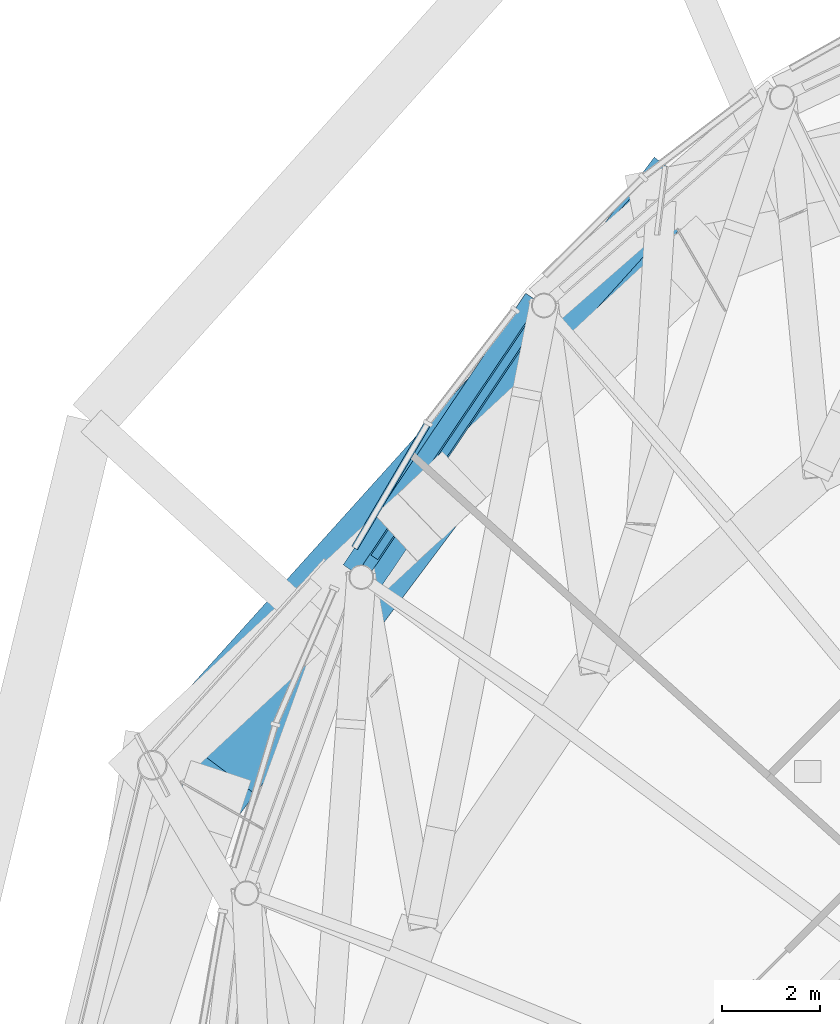
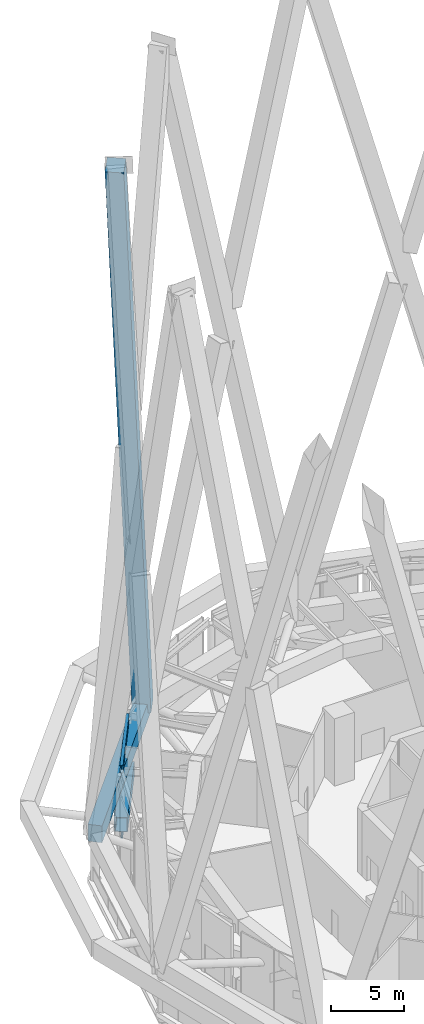
# One storey, part 18 of 48: 3 beams, 3 members, 1 element without a shape of its own.
"""IFC4 building model written with IfcOpenShell, lengths in metres."""

from ifc_helpers import new_model, si_unit, direction, frame, origin, origin_2d, place, context, subcontext, project, spatial, rectangle, hollow_rectangle, i_section, extrude, material, layer, layer_set, material_profile, profile_set, type_object, element, aggregate, save


model = new_model("IFC4")

# Units and contexts
model_context = context("Model", 3, precision=1e-05, world=origin(), true_north=direction((0.0, 1.0)))
body_context = subcontext(model_context, "Body", "Model", "MODEL_VIEW")
ifc_project = project(units=[si_unit("LENGTHUNIT", "METRE"), si_unit("AREAUNIT", "SQUARE_METRE"), si_unit("VOLUMEUNIT", "CUBIC_METRE"), si_unit("PLANEANGLEUNIT", "RADIAN"), si_unit("MASSUNIT", "GRAM", prefix="KILO")], contexts=[model_context])

# Site, building, storey
site_placement = place(None, origin())
site = spatial("IfcSite", under=ifc_project, at=site_placement, CompositionType="ELEMENT")
building_placement = place(site_placement, origin())
building = spatial("IfcBuilding", under=site, at=building_placement, Name="Nagisa Residences", CompositionType="ELEMENT")
storey_placement = place(building_placement, frame((0.0, 0.0, 252.89990234375)))
storey = spatial("IfcBuildingStorey", under=building, at=storey_placement, Name="L64", CompositionType="ELEMENT", Elevation=252.89990234375)

# Beam
ifc_material_1 = material(Name="Steel ASTM A572 Gr 50", Category="steel")
ifc_material_profile_1 = material_profile(ifc_material_1, hollow_rectangle(XDim=0.89990234375, YDim=1.199951171875, WallThickness=0.0400390625, at=origin_2d()), Name="BX 900x1200x40")
ifc_profile_set_1 = profile_set([ifc_material_profile_1], Name="Steel ASTM A572 Gr 50")
beam_type_1 = type_object("IfcBeamType", Name="Belt chord 5 BX 900x1200x40", PredefinedType="BEAM", material=ifc_profile_set_1)
beam_1_placement = place(storey_placement, frame((-18.466552734375, 22.1318359375, 0.60009765625), z_axis=(-0.558086989811, -0.829782448479, 0.0), x_axis=(0.829782448479, -0.558086989811, 0.0)))
element("IfcBeam", 1, at=beam_1_placement, inside=storey, type_object=beam_type_1, Name="beam:L64:bt5b10", PredefinedType="BEAM", context=body_context, shape_type="SweptSolid", body=[
    extrude(hollow_rectangle(XDim=0.89990234375, YDim=1.199951171875, WallThickness=0.0400390625, at=origin_2d()), origin(), (0.0, 0.0, 1.0), 6.71142578125),
])

# Curtain wall, member
ifc_material_2 = material(Name="Aluminium curtain wall system", Category="aluminium")
ifc_layer = layer(ifc_material_2, 0.159912109375)
ifc_layer_set = layer_set([ifc_layer], Name="CW2 CURTAIN WALL")
curtain_wall_type = type_object("IfcCurtainWallType", Name="CW2 CURTAIN WALL", PredefinedType="NOTDEFINED", material=ifc_layer_set)
curtain_wall_placement = place(storey_placement, origin())
curtain_wall = element("IfcCurtainWall", 2, at=curtain_wall_placement, inside=storey, type_object=curtain_wall_type, Name="cw:CW2:L64:19", PredefinedType="NOTDEFINED")
ifc_material_3 = material(Name="Aluminium", Category="aluminium")
ifc_material_profile_2 = material_profile(ifc_material_3, rectangle(XDim=0.139892578125, YDim=0.179931640625, at=origin_2d()), Name="CW2 TRANSOM 140x180")
ifc_profile_set_2 = profile_set([ifc_material_profile_2], Name="Aluminium")
member_type_1 = type_object("IfcMemberType", Name="CW2 TRANSOM 140x180", PredefinedType="USERDEFINED", material=ifc_profile_set_2)
member_1_placement = place(storey_placement, frame((-20.8271484375, 19.751220703125, 0.090087890625), z_axis=(-0.506299099486, -0.862357943002, 0.0), x_axis=(0.862357943002, -0.506299099486, 0.0)))
member_1 = element("IfcMember", 3, at=member_1_placement, type_object=member_type_1, Name="CW2 transom", ObjectType="TRANSOM", PredefinedType="USERDEFINED", context=body_context, shape_type="SweptSolid", body=[
    extrude(rectangle(XDim=0.139892578125, YDim=0.179931640625, at=origin_2d()), origin(), (0.0, 0.0, 1.0), 3.004638671875),
])
aggregate(curtain_wall, [member_1])

# Members
ifc_material_4 = material(Name="Concrete C80", Category="concrete")
ifc_material_profile_3 = material_profile(ifc_material_4, rectangle(XDim=1.300048828125, YDim=1.300048828125, at=origin_2d()), Name="C80 1300x1300")
ifc_profile_set_3 = profile_set([ifc_material_profile_3], Name="Concrete C80")
member_type_2 = type_object("IfcMemberType", Name="Cage diagonal 6 C80 1300x1300", PredefinedType="BRACE", material=ifc_profile_set_3)
member_2_placement = place(storey_placement, frame((-16.06005859375, 24.283447265625, 3.7001953125), z_axis=(-0.159953519322, -0.212910188293, 0.963890099222), x_axis=(0.799511483835, -0.600650803059, 0.0)))
element("IfcMember", 4, at=member_2_placement, inside=storey, type_object=member_type_2, Name="mem:L64:cg6d009", PredefinedType="BRACE", context=body_context, shape_type="SweptSolid", body=[
    extrude(rectangle(XDim=1.300048828125, YDim=1.300048828125, at=origin_2d()), origin(), (0.0, 0.0, 1.0), 57.682861328125),
])
ifc_material_5 = material(Name="Concrete C80", Category="concrete")
ifc_material_profile_4 = material_profile(ifc_material_5, rectangle(XDim=1.0, YDim=1.39990234375, at=origin_2d()), Name="C80 1000x1400")
ifc_profile_set_4 = profile_set([ifc_material_profile_4], Name="Concrete C80")
member_type_3 = type_object("IfcMemberType", Name="Cage ring 6 C80 1000x1400", PredefinedType="CHORD", material=ifc_profile_set_4)
member_3_placement = place(storey_placement, frame((-16.06005859375, 24.283447265625, 3.7001953125), z_axis=(-0.66953205413, -0.742783163846, 0.0), x_axis=(0.742783163846, -0.66953205413, 0.0)))
element("IfcMember", 5, at=member_3_placement, inside=storey, type_object=member_type_3, Name="beam:L64:cg6r005", PredefinedType="CHORD", context=body_context, shape_type="SweptSolid", body=[
    extrude(rectangle(XDim=1.0, YDim=1.39990234375, at=origin_2d()), origin(), (0.0, 0.0, 1.0), 15.591552734375),
])

# Beams
ifc_material_6 = material(Name="Steel ASTM A572 Gr 50", Category="steel")
ifc_material_profile_5 = material_profile(ifc_material_6, i_section(OverallWidth=0.22802734375, OverallDepth=0.60302734375, WebThickness=0.010498046875, FlangeThickness=0.014892578125, at=origin_2d()), Name="W610x101")
ifc_profile_set_5 = profile_set([ifc_material_profile_5], Name="Steel ASTM A572 Gr 50")
beam_type_2 = type_object("IfcBeamType", Name="Garden edge beam W610x101", PredefinedType="BEAM", material=ifc_profile_set_5)
beam_2_placement = place(storey_placement, frame((-18.59716796875, 21.937744140625, 5.03857421875), z_axis=(-0.558070477456, -0.829793553959, 0.0), x_axis=(0.829793553959, -0.558070477456, 0.0)))
element("IfcBeam", 6, at=beam_2_placement, inside=storey, type_object=beam_type_2, Name="beam:L64:bt5ge10", PredefinedType="BEAM", context=body_context, shape_type="SweptSolid", body=[
    extrude(i_section(OverallWidth=0.22802734375, OverallDepth=0.60302734375, WebThickness=0.010498046875, FlangeThickness=0.014892578125, at=origin_2d()), origin(), (0.0, 0.0, 1.0), 6.24365234375),
])
ifc_material_7 = material(Name="Steel ASTM A572 Gr 50", Category="steel")
ifc_material_profile_6 = material_profile(ifc_material_7, i_section(OverallWidth=0.166015625, OverallDepth=0.534912109375, WebThickness=0.01025390625, FlangeThickness=0.0166015625, at=origin_2d()), Name="W530x85")
ifc_profile_set_6 = profile_set([ifc_material_profile_6], Name="Steel ASTM A572 Gr 50")
beam_type_3 = type_object("IfcBeamType", Name="Perimeter ring beam W530x85", PredefinedType="BEAM", material=ifc_profile_set_6)
beam_3_placement = place(storey_placement, frame((-18.73681640625, 21.72998046875, -0.617431640625), z_axis=(-0.558079852096, -0.829787249049, 0.0), x_axis=(0.829787249049, -0.558079852096, 0.0)))
element("IfcBeam", 7, at=beam_3_placement, inside=storey, type_object=beam_type_3, Name="beam:L64:pb10", PredefinedType="BEAM", context=body_context, shape_type="SweptSolid", body=[
    extrude(i_section(OverallWidth=0.166015625, OverallDepth=0.534912109375, WebThickness=0.01025390625, FlangeThickness=0.0166015625, at=origin_2d()), origin(), (0.0, 0.0, 1.0), 5.743408203125),
])

save(model, "model.ifc")
